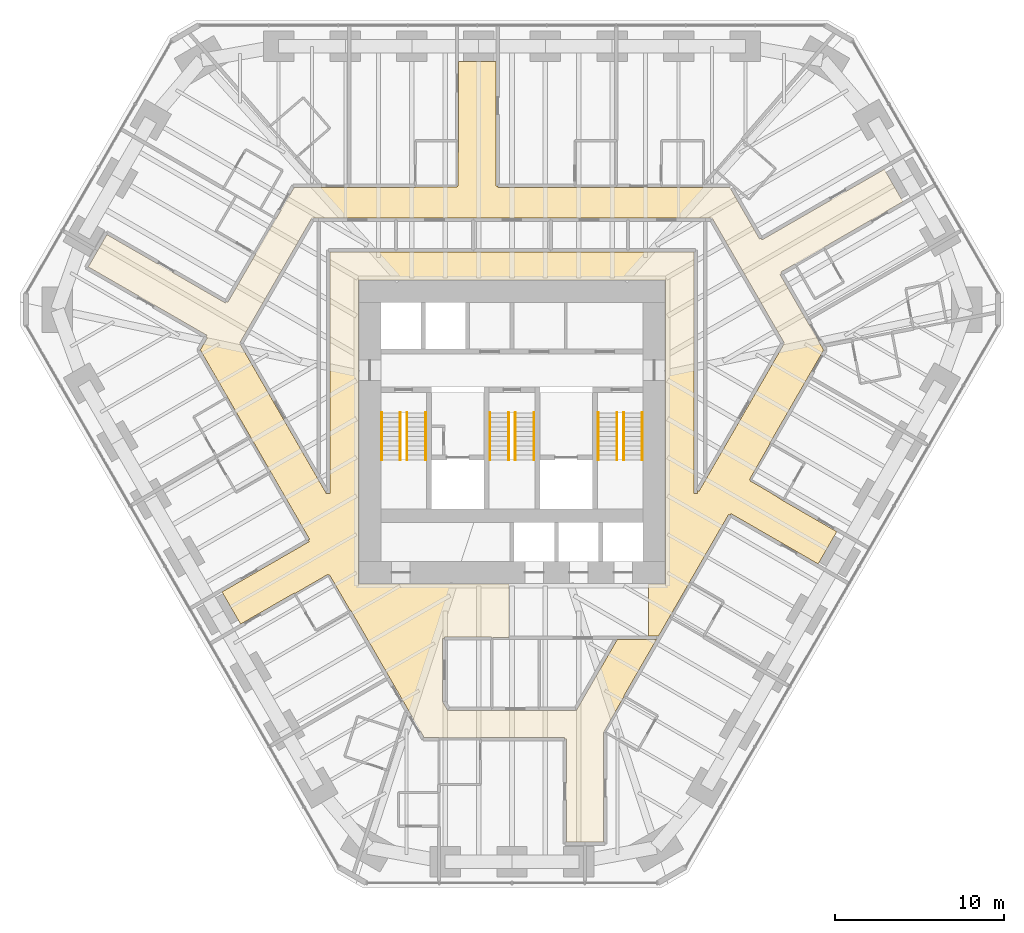
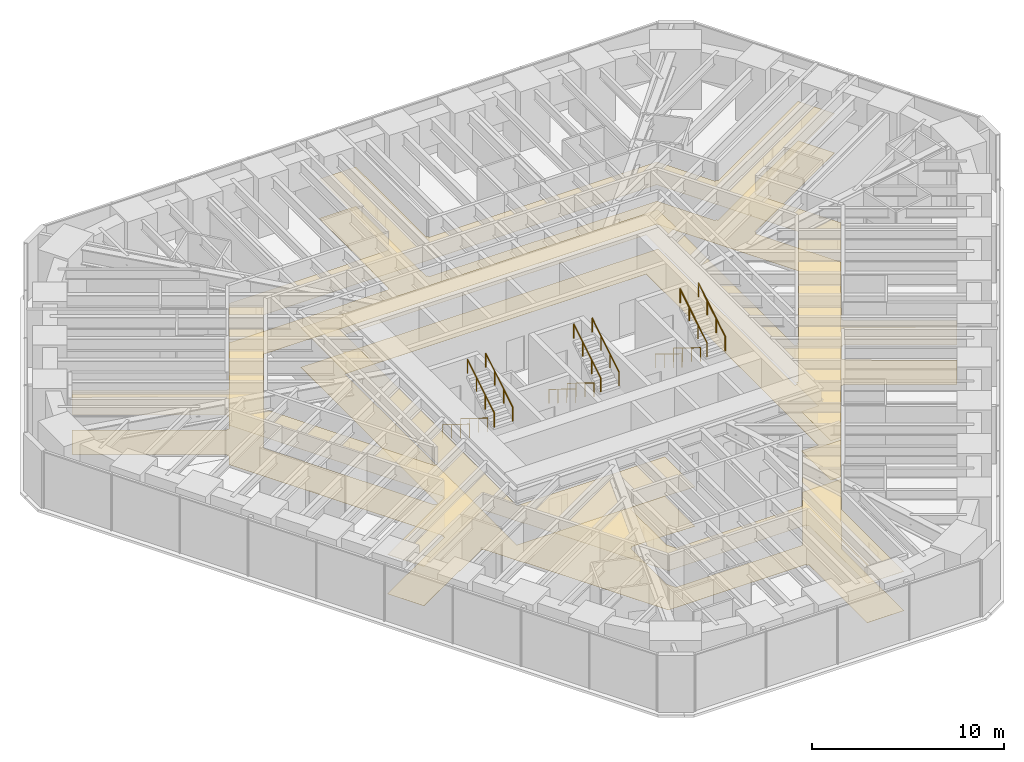
# One storey, part 17 of 17: 12 railings, 2 coverings.
"""IFC4 building model written with IfcOpenShell, lengths in metres."""

from ifc_helpers import new_model, si_unit, direction, frame, origin, origin_2d, place, context, subcontext, project, spatial, polyline, circle, outline, extrude, material, layer, layer_set, type_object, element, save


model = new_model("IFC4")

# Units and contexts
model_context = context("Model", 3, precision=1e-05, world=origin(), true_north=direction((0.0, 1.0)))
body_context = subcontext(model_context, "Body", "Model", "MODEL_VIEW")
ifc_project = project(units=[si_unit("LENGTHUNIT", "METRE"), si_unit("AREAUNIT", "SQUARE_METRE"), si_unit("VOLUMEUNIT", "CUBIC_METRE"), si_unit("PLANEANGLEUNIT", "RADIAN"), si_unit("MASSUNIT", "GRAM", prefix="KILO")], contexts=[model_context])

# Site, building, storey
site_placement = place(None, origin())
site = spatial("IfcSite", under=ifc_project, at=site_placement, CompositionType="ELEMENT")
building_placement = place(site_placement, origin())
building = spatial("IfcBuilding", under=site, at=building_placement, Name="Sandreach Pilgrim Tower", CompositionType="ELEMENT")
storey_placement = place(building_placement, frame((0.0, 0.0, 127.199951171875)))
storey = spatial("IfcBuildingStorey", under=building, at=storey_placement, Name="L31", CompositionType="ELEMENT", Elevation=127.199951171875)

# Coverings
ifc_material_1 = material(Name="Nylon carpet tile on the slab", Category="textile")
ifc_layer_1 = layer(ifc_material_1, 0.008056640625)
ifc_layer_set_1 = layer_set([ifc_layer_1], Name="Carpet tile")
covering_type_1 = type_object("IfcCoveringType", Name="Carpet tile", PredefinedType="FLOORING", material=ifc_layer_set_1)
covering_1_placement = place(storey_placement, origin())
element("IfcCovering", 1, at=covering_1_placement, inside=storey, type_object=covering_type_1, Name="Floor finish 31C Corridor 31", PredefinedType="FLOORING", context=body_context, shape_type="SweptSolid", body=[
    extrude(outline(polyline([(-16.929931640625, 6.073486328125), (-16.869873046875, 6.165771484375), (-16.788330078125, 6.11865234375), (-12.872314453125, 12.889892578125), (-5.699951171875, 12.889892578125), (-5.699951171875, 12.919921875), (-3.25, 12.929931640625), (-3.247802734375, 12.989990234375), (-3.18994140625, 12.989990234375), (-3.18994140625, 14.568115234375), (-3.14990234375, 15.659912109375), (-3.14990234375, 20.333740234375), (-0.949951171875, 20.333740234375), (-0.949951171875, 12.989990234375), (-0.840087890625, 12.989990234375), (-0.840087890625, 12.889892578125), (12.872314453125, 12.889892578125), (14.6259765625, 9.85302734375), (14.711669921875, 9.902587890625), (14.77001953125, 9.803466796875), (21.993408203125, 13.970703125), (23.0947265625, 12.063232421875), (15.8837890625, 7.904541015625), (15.93310546875, 7.8173828125), (15.833251953125, 7.760009765625), (18.412109375, 3.295654296875), (15.2333984375, -2.2099609375), (15.255126953125, -2.22265625), (14.0380859375, -4.349853515625), (14.0888671875, -4.382080078125), (14.06005859375, -4.431884765625), (15.220703125, -5.1015625), (16.00732421875, -5.6015625), (19.1865234375, -7.435791015625), (18.085693359375, -9.342041015625), (12.93994140625, -6.373291015625), (12.885009765625, -6.46875), (12.79833984375, -6.418701171875), (8.65576171875, -13.60009765625), (8.050048828125, -13.60009765625), (8.050048828125, -10.52001953125), (9.070068359375, -10.52001953125), (9.070068359375, 7.419921875), (-9.070068359375, 7.419921875), (-9.070068359375, -10.52001953125), (-0.175048828125, -10.52001953125), (-0.175048828125, -13.68994140625), (-1.199951171875, -13.67919921875), (-1.199951171875, -13.64990234375), (-3.989990234375, -13.64990234375), (-3.989990234375, -13.75), (-4.10009765625, -13.75), (-4.10009765625, -17.487060546875), (-3.8076171875, -17.989990234375), (3.8076171875, -17.989990234375), (6.2265625, -13.800048828125), (8.540283203125, -13.800048828125), (6.603515625, -17.14990234375), (6.62353515625, -17.16162109375), (5.409912109375, -19.2900390625), (5.409912109375, -25.780029296875), (3.2099609375, -25.780029296875), (3.2099609375, -19.68994140625), (3.10009765625, -19.68994140625), (3.10009765625, -19.590087890625), (-5.1923828125, -19.590087890625), (-9.5234375, -12.090087890625), (-9.55029296875, -12.10546875), (-10.7880859375, -9.97998046875), (-10.840576171875, -10.009033203125), (-10.8701171875, -9.9580078125), (-12.840087890625, -11.09814453125), (-12.85986328125, -11.0634765625), (-16.033935546875, -12.89599609375), (-17.130615234375, -10.99658203125), (-11.989990234375, -8.026611328125), (-12.045166015625, -7.92578125), (-11.960693359375, -7.877197265625), (-18.41455078125, 3.30029296875), (-18.0009765625, 4.01708984375), (-18.083251953125, 4.064453125), (-18.030029296875, 4.166748046875), (-25.033447265625, 8.20654296875), (-23.933349609375, 10.113525390625), (-16.929931640625, 6.073486328125)]), holes=[polyline([(-16.095458984375, 3.699951171875), (-10.965576171875, -5.18994140625), (-10.85009765625, -5.19482421875), (-10.75, -5.18994140625), (-10.75, 9.10009765625), (10.75, 9.10009765625), (10.75, -5.18994140625), (10.949951171875, -5.18994140625), (10.949951171875, -4.99365234375), (11.047119140625, -5.050048828125), (16.095458984375, 3.699951171875), (11.82763671875, 11.090087890625), (-11.82763671875, 11.090087890625), (-16.095458984375, 3.699951171875)])]), origin(), (0.0, 0.0, 1.0), 0.008056640625),
])
ifc_material_2 = material(Name="Gypsum board suspended ceiling on a steel grid", Category="steel")
ifc_layer_2 = layer(ifc_material_2, 0.012939453125)
ifc_layer_set_2 = layer_set([ifc_layer_2], Name="Gypsum board suspended ceiling")
covering_type_2 = type_object("IfcCoveringType", Name="Gypsum board suspended ceiling", PredefinedType="CEILING", material=ifc_layer_set_2)
covering_2_placement = place(storey_placement, frame((0.0, 0.0, 2.5)))
element("IfcCovering", 2, at=covering_2_placement, inside=storey, type_object=covering_type_2, Name="Ceiling 31C Corridor 31", PredefinedType="CEILING", context=body_context, shape_type="SweptSolid", body=[
    extrude(outline(polyline([(-16.929931640625, 6.073486328125), (-16.869873046875, 6.165771484375), (-16.788330078125, 6.11865234375), (-12.872314453125, 12.889892578125), (-5.699951171875, 12.889892578125), (-5.699951171875, 12.919921875), (-3.25, 12.929931640625), (-3.247802734375, 12.989990234375), (-3.18994140625, 12.989990234375), (-3.18994140625, 14.568115234375), (-3.14990234375, 15.659912109375), (-3.14990234375, 20.333740234375), (-0.949951171875, 20.333740234375), (-0.949951171875, 12.989990234375), (-0.840087890625, 12.989990234375), (-0.840087890625, 12.889892578125), (12.872314453125, 12.889892578125), (14.6259765625, 9.85302734375), (14.711669921875, 9.902587890625), (14.77001953125, 9.803466796875), (21.993408203125, 13.970703125), (23.0947265625, 12.063232421875), (15.8837890625, 7.904541015625), (15.93310546875, 7.8173828125), (15.833251953125, 7.760009765625), (18.412109375, 3.295654296875), (15.2333984375, -2.2099609375), (15.255126953125, -2.22265625), (14.0380859375, -4.349853515625), (14.0888671875, -4.382080078125), (14.06005859375, -4.431884765625), (15.220703125, -5.1015625), (16.00732421875, -5.6015625), (19.1865234375, -7.435791015625), (18.085693359375, -9.342041015625), (12.93994140625, -6.373291015625), (12.885009765625, -6.46875), (12.79833984375, -6.418701171875), (8.65576171875, -13.60009765625), (8.050048828125, -13.60009765625), (8.050048828125, -10.52001953125), (9.070068359375, -10.52001953125), (9.070068359375, 7.419921875), (-9.070068359375, 7.419921875), (-9.070068359375, -10.52001953125), (-0.175048828125, -10.52001953125), (-0.175048828125, -13.68994140625), (-1.199951171875, -13.67919921875), (-1.199951171875, -13.64990234375), (-3.989990234375, -13.64990234375), (-3.989990234375, -13.75), (-4.10009765625, -13.75), (-4.10009765625, -17.487060546875), (-3.8076171875, -17.989990234375), (3.8076171875, -17.989990234375), (6.2265625, -13.800048828125), (8.540283203125, -13.800048828125), (6.603515625, -17.14990234375), (6.62353515625, -17.16162109375), (5.409912109375, -19.2900390625), (5.409912109375, -25.780029296875), (3.2099609375, -25.780029296875), (3.2099609375, -19.68994140625), (3.10009765625, -19.68994140625), (3.10009765625, -19.590087890625), (-5.1923828125, -19.590087890625), (-9.5234375, -12.090087890625), (-9.55029296875, -12.10546875), (-10.7880859375, -9.97998046875), (-10.840576171875, -10.009033203125), (-10.8701171875, -9.9580078125), (-12.840087890625, -11.09814453125), (-12.85986328125, -11.0634765625), (-16.033935546875, -12.89599609375), (-17.130615234375, -10.99658203125), (-11.989990234375, -8.026611328125), (-12.045166015625, -7.92578125), (-11.960693359375, -7.877197265625), (-18.41455078125, 3.30029296875), (-18.0009765625, 4.01708984375), (-18.083251953125, 4.064453125), (-18.030029296875, 4.166748046875), (-25.033447265625, 8.20654296875), (-23.933349609375, 10.113525390625), (-16.929931640625, 6.073486328125)]), holes=[polyline([(-16.095458984375, 3.699951171875), (-10.965576171875, -5.18994140625), (-10.85009765625, -5.19482421875), (-10.75, -5.18994140625), (-10.75, 9.10009765625), (10.75, 9.10009765625), (10.75, -5.18994140625), (10.949951171875, -5.18994140625), (10.949951171875, -4.99365234375), (11.047119140625, -5.050048828125), (16.095458984375, 3.699951171875), (11.82763671875, 11.090087890625), (-11.82763671875, 11.090087890625), (-16.095458984375, 3.699951171875)])]), origin(), (0.0, 0.0, 1.0), 0.012939453125),
])

# Railings
ifc_material_3 = material(Name="Stainless steel tube", Category="steel")
railing_type = type_object("IfcRailingType", Name="Stair handrail", PredefinedType="HANDRAIL", material=ifc_material_3)
for number, where, name in (
    (3, (-6.60009765625, -0.39990234375, 0.1728515625), "Handrail ST1 L31 flight 1"),
    (4, (-7.699951171875, -0.39990234375, 0.1728515625), "Handrail ST1 L31 flight 1"),
):
    element("IfcRailing", number, at=place(storey_placement, frame(where)), inside=storey, type_object=railing_type, Name=name, PredefinedType="HANDRAIL", context=body_context, shape_type="SweptSolid", body=[
        extrude(circle(Radius=0.02392578125, at=origin_2d()), frame((0.0, 0.0, 0.8759765625), z_axis=(0.0, -0.851089632645, 0.525020415988), x_axis=(1.0, 0.0, 0.0)), (0.0, 0.0, 1.0), 3.2900390625),
        extrude(circle(Radius=0.02099609375, at=origin_2d()), origin(), (0.0, 0.0, 1.0), 0.851806640625),
        extrude(circle(Radius=0.02099609375, at=origin_2d()), frame((0.0, -0.933349609375, 0.57568359375)), (0.0, 0.0, 1.0), 0.851806640625),
        extrude(circle(Radius=0.02099609375, at=origin_2d()), frame((0.0, -1.86669921875, 1.151611328125)), (0.0, 0.0, 1.0), 0.851806640625),
        extrude(circle(Radius=0.02099609375, at=origin_2d()), frame((0.0, -2.800048828125, 1.727294921875)), (0.0, 0.0, 1.0), 0.851806640625),
    ])
for number, where, name in (
    (5, (-6.199951171875, -3.199951171875, 2.07275390625), "Handrail ST1 L31 flight 2"),
    (6, (-5.10009765625, -3.199951171875, 2.07275390625), "Handrail ST1 L31 flight 2"),
):
    element("IfcRailing", number, at=place(storey_placement, frame(where)), inside=storey, type_object=railing_type, Name=name, PredefinedType="HANDRAIL", context=body_context, shape_type="SweptSolid", body=[
        extrude(circle(Radius=0.02392578125, at=origin_2d()), frame((0.0, 0.0, 0.8759765625), z_axis=(0.0, 0.851089632645, 0.525020415988), x_axis=(-1.0, 0.0, 0.0)), (0.0, 0.0, 1.0), 3.2900390625),
        extrude(circle(Radius=0.02099609375, at=origin_2d()), origin(), (0.0, 0.0, 1.0), 0.851806640625),
        extrude(circle(Radius=0.02099609375, at=origin_2d()), frame((0.0, 0.933349609375, 0.57568359375)), (0.0, 0.0, 1.0), 0.851806640625),
        extrude(circle(Radius=0.02099609375, at=origin_2d()), frame((0.0, 1.86669921875, 1.151611328125)), (0.0, 0.0, 1.0), 0.851806640625),
        extrude(circle(Radius=0.02099609375, at=origin_2d()), frame((0.0, 2.800048828125, 1.727294921875)), (0.0, 0.0, 1.0), 0.851806640625),
    ])
for number, where, name in (
    (7, (-0.199951171875, -0.39990234375, 0.1728515625), "Handrail ST3 L31 flight 1"),
    (8, (-1.300048828125, -0.39990234375, 0.1728515625), "Handrail ST3 L31 flight 1"),
):
    element("IfcRailing", number, at=place(storey_placement, frame(where)), inside=storey, type_object=railing_type, Name=name, PredefinedType="HANDRAIL", context=body_context, shape_type="SweptSolid", body=[
        extrude(circle(Radius=0.02392578125, at=origin_2d()), frame((0.0, 0.0, 0.8759765625), z_axis=(0.0, -0.851089632645, 0.525020415988), x_axis=(1.0, 0.0, 0.0)), (0.0, 0.0, 1.0), 3.2900390625),
        extrude(circle(Radius=0.02099609375, at=origin_2d()), origin(), (0.0, 0.0, 1.0), 0.851806640625),
        extrude(circle(Radius=0.02099609375, at=origin_2d()), frame((0.0, -0.933349609375, 0.57568359375)), (0.0, 0.0, 1.0), 0.851806640625),
        extrude(circle(Radius=0.02099609375, at=origin_2d()), frame((0.0, -1.86669921875, 1.151611328125)), (0.0, 0.0, 1.0), 0.851806640625),
        extrude(circle(Radius=0.02099609375, at=origin_2d()), frame((0.0, -2.800048828125, 1.727294921875)), (0.0, 0.0, 1.0), 0.851806640625),
    ])
for number, where, name in (
    (9, (0.199951171875, -3.199951171875, 2.07275390625), "Handrail ST3 L31 flight 2"),
    (10, (1.300048828125, -3.199951171875, 2.07275390625), "Handrail ST3 L31 flight 2"),
):
    element("IfcRailing", number, at=place(storey_placement, frame(where)), inside=storey, type_object=railing_type, Name=name, PredefinedType="HANDRAIL", context=body_context, shape_type="SweptSolid", body=[
        extrude(circle(Radius=0.02392578125, at=origin_2d()), frame((0.0, 0.0, 0.8759765625), z_axis=(0.0, 0.851089632645, 0.525020415988), x_axis=(-1.0, 0.0, 0.0)), (0.0, 0.0, 1.0), 3.2900390625),
        extrude(circle(Radius=0.02099609375, at=origin_2d()), origin(), (0.0, 0.0, 1.0), 0.851806640625),
        extrude(circle(Radius=0.02099609375, at=origin_2d()), frame((0.0, 0.933349609375, 0.57568359375)), (0.0, 0.0, 1.0), 0.851806640625),
        extrude(circle(Radius=0.02099609375, at=origin_2d()), frame((0.0, 1.86669921875, 1.151611328125)), (0.0, 0.0, 1.0), 0.851806640625),
        extrude(circle(Radius=0.02099609375, at=origin_2d()), frame((0.0, 2.800048828125, 1.727294921875)), (0.0, 0.0, 1.0), 0.851806640625),
    ])
for number, where, name in (
    (11, (6.199951171875, -0.39990234375, 0.1728515625), "Handrail ST2 L31 flight 1"),
    (12, (5.10009765625, -0.39990234375, 0.1728515625), "Handrail ST2 L31 flight 1"),
):
    element("IfcRailing", number, at=place(storey_placement, frame(where)), inside=storey, type_object=railing_type, Name=name, PredefinedType="HANDRAIL", context=body_context, shape_type="SweptSolid", body=[
        extrude(circle(Radius=0.02392578125, at=origin_2d()), frame((0.0, 0.0, 0.8759765625), z_axis=(0.0, -0.851089632645, 0.525020415988), x_axis=(1.0, 0.0, 0.0)), (0.0, 0.0, 1.0), 3.2900390625),
        extrude(circle(Radius=0.02099609375, at=origin_2d()), origin(), (0.0, 0.0, 1.0), 0.851806640625),
        extrude(circle(Radius=0.02099609375, at=origin_2d()), frame((0.0, -0.933349609375, 0.57568359375)), (0.0, 0.0, 1.0), 0.851806640625),
        extrude(circle(Radius=0.02099609375, at=origin_2d()), frame((0.0, -1.86669921875, 1.151611328125)), (0.0, 0.0, 1.0), 0.851806640625),
        extrude(circle(Radius=0.02099609375, at=origin_2d()), frame((0.0, -2.800048828125, 1.727294921875)), (0.0, 0.0, 1.0), 0.851806640625),
    ])
for number, where, name in (
    (13, (6.60009765625, -3.199951171875, 2.07275390625), "Handrail ST2 L31 flight 2"),
    (14, (7.699951171875, -3.199951171875, 2.07275390625), "Handrail ST2 L31 flight 2"),
):
    element("IfcRailing", number, at=place(storey_placement, frame(where)), inside=storey, type_object=railing_type, Name=name, PredefinedType="HANDRAIL", context=body_context, shape_type="SweptSolid", body=[
        extrude(circle(Radius=0.02392578125, at=origin_2d()), frame((0.0, 0.0, 0.8759765625), z_axis=(0.0, 0.851089632645, 0.525020415988), x_axis=(-1.0, 0.0, 0.0)), (0.0, 0.0, 1.0), 3.2900390625),
        extrude(circle(Radius=0.02099609375, at=origin_2d()), origin(), (0.0, 0.0, 1.0), 0.851806640625),
        extrude(circle(Radius=0.02099609375, at=origin_2d()), frame((0.0, 0.933349609375, 0.57568359375)), (0.0, 0.0, 1.0), 0.851806640625),
        extrude(circle(Radius=0.02099609375, at=origin_2d()), frame((0.0, 1.86669921875, 1.151611328125)), (0.0, 0.0, 1.0), 0.851806640625),
        extrude(circle(Radius=0.02099609375, at=origin_2d()), frame((0.0, 2.800048828125, 1.727294921875)), (0.0, 0.0, 1.0), 0.851806640625),
    ])

save(model, "model.ifc")
